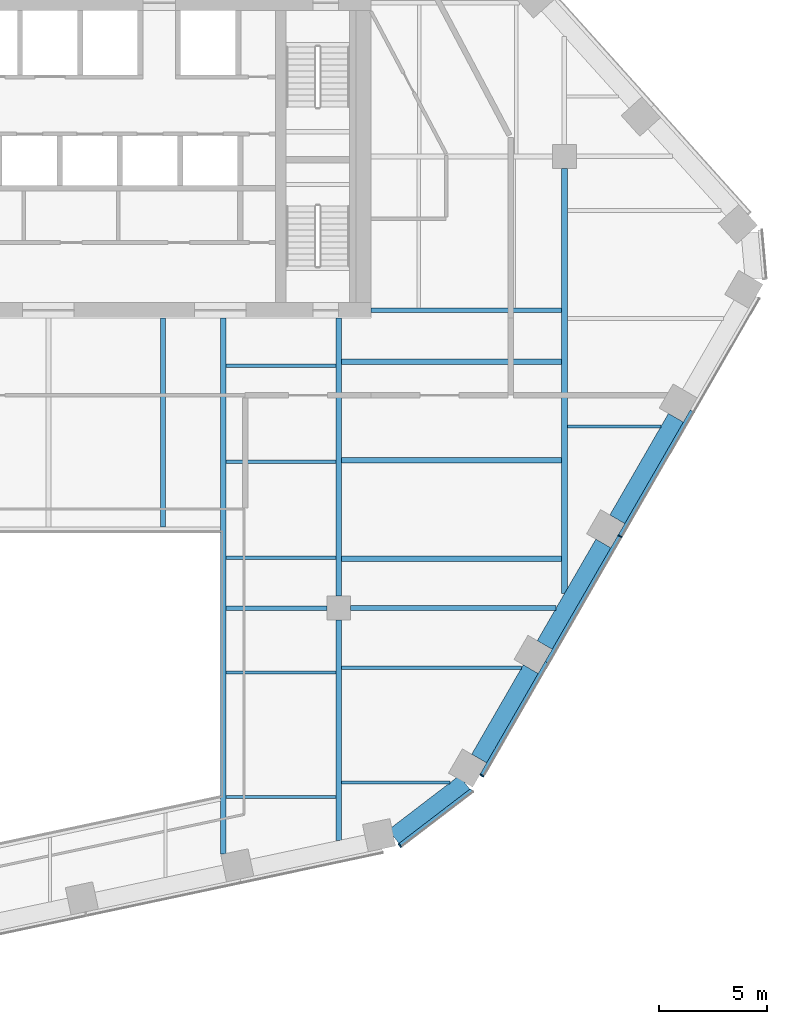
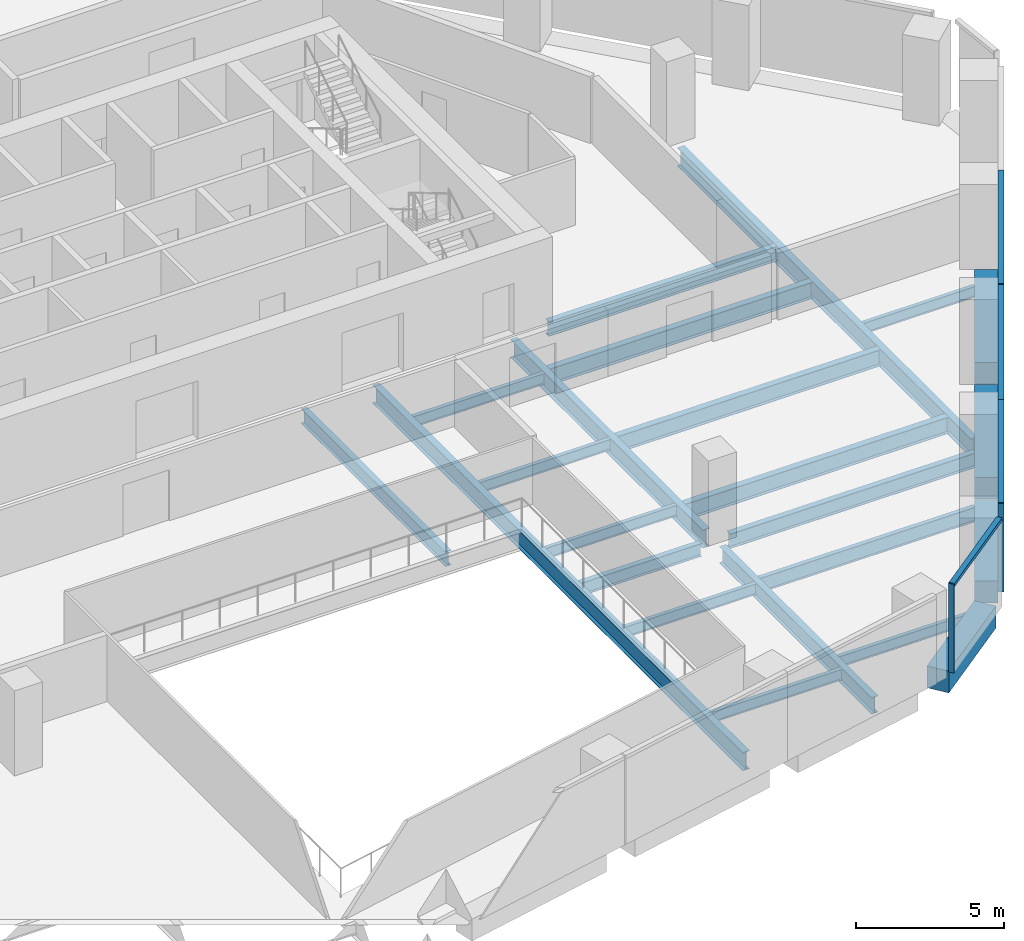
# One storey, part 5 of 16: 23 beams, 7 members, 2 elements without a shape of their own.
"""IFC4 building model written with IfcOpenShell, lengths in metres."""

import ifcopenshell
import ifcopenshell.guid

model = None  # the IFC model being written
_history = None  # IfcOwnerHistory: only IFC2X3 demands one
_inside = {}  # id of a spatial element -> (the spatial element, [elements in it])
_under = {}  # id of a project, library or spatial element -> (it, [spatial elements below it])
_declared = {}  # id of a project -> (the project, [libraries it declares])
_typed = {}  # id of a type object -> (the type object, [elements of that type])
_made_of = {}  # id of a material, layer set ... -> (it, [elements and type objects made of it])


def new_model(schema):
    """Start an empty IFC model of exactly this schema.

    Asked for "IFC4X3", IfcOpenShell would pick the latest addendum, in which some entities
    have other attributes; the version numbers below select the first issue.
    IFC2X3 requires an IfcOwnerHistory on every rooted entity: one is made here for all.
    """
    global model, _history
    if schema == "IFC4X3":
        model = ifcopenshell.file(schema_version=(4, 3, 0, 0))
    else:
        model = ifcopenshell.file(schema=schema)
    _inside.clear()
    _under.clear()
    _declared.clear()
    _typed.clear()
    _made_of.clear()
    _history = None
    if model.schema == "IFC2X3":
        org = make("IfcOrganization", Name="unknown")
        user = make(
            "IfcPersonAndOrganization",
            ThePerson=make("IfcPerson", FamilyName="unknown"),
            TheOrganization=org,
        )
        app = make(
            "IfcApplication",
            ApplicationDeveloper=org,
            Version="unknown",
            ApplicationFullName="unknown",
            ApplicationIdentifier="unknown",
        )
        _history = make(
            "IfcOwnerHistory",
            OwningUser=user,
            OwningApplication=app,
            ChangeAction="ADDED",
            CreationDate=0,
        )
    return model


def make(cls, **values):
    """One entity of the class cls with the attributes given. An attribute that is None is left unset."""
    return model.create_entity(
        cls, **{name: value for name, value in values.items() if value is not None}
    )


def rooted(cls, **values):
    """An entity with a GlobalId (a new one), such as an element, a storey or a relation."""
    return make(cls, GlobalId=ifcopenshell.guid.new(), OwnerHistory=_history, **values)


def si_unit(unit_type, name, prefix=None):
    """IfcSIUnit, for example si_unit("LENGTHUNIT", "METRE", prefix="MILLI")."""
    return make("IfcSIUnit", UnitType=unit_type, Prefix=prefix, Name=name)


def assignment(units):
    """IfcUnitAssignment: the units of a project."""
    return None if units is None else make("IfcUnitAssignment", Units=units)


def point(xyz):
    """IfcCartesianPoint."""
    return None if xyz is None else make("IfcCartesianPoint", Coordinates=xyz)


def direction(xyz):
    """IfcDirection."""
    return None if xyz is None else make("IfcDirection", DirectionRatios=xyz)


def frame(location, z_axis=None, x_axis=None):
    """IfcAxis2Placement3D, a coordinate frame: its origin and axes. An axis left out is left unset."""
    return make(
        "IfcAxis2Placement3D",
        Location=point(location),
        Axis=direction(z_axis),
        RefDirection=direction(x_axis),
    )


def frame_2d(location, x_axis=None):
    """IfcAxis2Placement2D, a coordinate frame in the plane: its origin and x axis."""
    return make(
        "IfcAxis2Placement2D", Location=point(location), RefDirection=direction(x_axis)
    )


def origin():
    """The frame at (0, 0, 0) with its axes left unset."""
    return frame((0.0, 0.0, 0.0))


def origin_2d():
    """The frame at (0, 0) in the plane with its x axis left unset."""
    return frame_2d((0.0, 0.0))


def place(relative_to, where):
    """IfcLocalPlacement: puts the frame where relative to a parent placement (None: the world)."""
    return make(
        "IfcLocalPlacement", PlacementRelTo=relative_to, RelativePlacement=where
    )


def context(
    kind, dimensions, precision=None, world=None, true_north=None, identifier=None
):
    """IfcGeometricRepresentationContext, for example the 3D "Model" context."""
    return make(
        "IfcGeometricRepresentationContext",
        ContextIdentifier=identifier,
        ContextType=kind,
        CoordinateSpaceDimension=dimensions,
        Precision=precision,
        WorldCoordinateSystem=world,
        TrueNorth=true_north,
    )


def subcontext(parent, identifier, kind, view, scale=None):
    """IfcGeometricRepresentationSubContext, for example "Body" below "Model"."""
    return make(
        "IfcGeometricRepresentationSubContext",
        ContextIdentifier=identifier,
        ContextType=kind,
        ParentContext=parent,
        TargetScale=scale,
        TargetView=view,
    )


def project(units=None, contexts=None):
    """IfcProject with its units and contexts."""
    return rooted(
        "IfcProject",
        Name="project",
        RepresentationContexts=contexts,
        UnitsInContext=assignment(units),
    )


def spatial(cls, under=None, at=None, **own):
    """A site, building, storey or space (cls), placed at a placement, below another one or the project."""
    s = rooted(cls, ObjectPlacement=at, **own)
    if under is not None:
        _under.setdefault(under.id(), (under, []))[1].append(s)
    return s


def profile(cls, at=None, kind="AREA", **sizes):
    """A parametric profile (cls). Its sizes go by their IFC names, for example OverallWidth=200.0."""
    return make(cls, ProfileType=kind, Position=at, **sizes)


def rectangle(**sizes):
    """IfcRectangleProfileDef."""
    return profile("IfcRectangleProfileDef", **sizes)


def i_section(**sizes):
    """IfcIShapeProfileDef."""
    return profile("IfcIShapeProfileDef", **sizes)


def extrude(swept, where, along, depth):
    """IfcExtrudedAreaSolid: the profile swept, set in the frame where, extruded along a direction by depth."""
    return make(
        "IfcExtrudedAreaSolid",
        SweptArea=swept,
        Position=where,
        ExtrudedDirection=direction(along),
        Depth=depth,
    )


def shape(context_of_items, identifier, shape_type, items):
    """IfcShapeRepresentation: the items that make up one representation, for example the "Body"."""
    return make(
        "IfcShapeRepresentation",
        ContextOfItems=context_of_items,
        RepresentationIdentifier=identifier,
        RepresentationType=shape_type,
        Items=items,
    )


def material(Name=None, Category=None):
    """IfcMaterial."""
    return make("IfcMaterial", Name=Name, Category=Category)


def layer(
    of_material, thickness, ventilated=None, Name=None, Category=None, Priority=None
):
    """IfcMaterialLayer: one layer of a wall or slab, of a material (None: an air gap)."""
    return make(
        "IfcMaterialLayer",
        Material=of_material,
        LayerThickness=thickness,
        IsVentilated=ventilated,
        Name=Name,
        Category=Category,
        Priority=Priority,
    )


def layer_set(layers, Name=None):
    """IfcMaterialLayerSet."""
    return make("IfcMaterialLayerSet", MaterialLayers=layers, LayerSetName=Name)


def material_profile(
    of_material, cross_section, Name=None, Category=None, Priority=None
):
    """IfcMaterialProfile: a cross section and its material."""
    return make(
        "IfcMaterialProfile",
        Name=Name,
        Material=of_material,
        Profile=cross_section,
        Priority=Priority,
        Category=Category,
    )


def profile_set(profiles, Name=None, composite=None):
    """IfcMaterialProfileSet."""
    return make(
        "IfcMaterialProfileSet",
        Name=Name,
        MaterialProfiles=profiles,
        CompositeProfile=composite,
    )


def made_of(thing, what):
    """Note that an element or type object is made of a material, layer set ...; save() writes the relation."""
    if what is not None:
        _made_of.setdefault(what.id(), (what, []))[1].append(thing)
    return thing


def type_object(cls, material=None, **own):
    """A type object (cls), such as IfcWallType, which elements share."""
    return made_of(rooted(cls, **own), material)


def element(
    cls,
    number,
    at=None,
    inside=None,
    cuts=None,
    type_object=None,
    material=None,
    context=None,
    identifier="Body",
    shape_type=None,
    held_by="IfcProductDefinitionShape",
    body=None,
    shapes=None,
    **own,
):
    """One element of the class cls, such as IfcWall. Its Tag is "e" and its number.

    at: its placement. inside: the storey or other place that contains it. cuts: it is an
    opening in that element (IfcRelVoidsElement). A single representation is given by context,
    identifier, shape_type and body (its items); several are given by shapes. held_by: the class
    of the entity that holds the representations. save() writes the other relations.
    """
    e = rooted(cls, Tag="e%d" % number, ObjectPlacement=at, **own)
    if body is not None:
        shapes = [shape(context, identifier, shape_type, body)]
    if shapes is not None:
        e.Representation = make(held_by, Representations=shapes)
    if inside is not None:
        _inside.setdefault(inside.id(), (inside, []))[1].append(e)
    if cuts is not None:
        rooted(
            "IfcRelVoidsElement", RelatingBuildingElement=cuts, RelatedOpeningElement=e
        )
    if type_object is not None:
        _typed.setdefault(type_object.id(), (type_object, []))[1].append(e)
    return made_of(e, material)


def aggregate(whole, parts):
    """IfcRelAggregates: a whole, such as a stair, and the parts it consists of."""
    return rooted("IfcRelAggregates", RelatingObject=whole, RelatedObjects=parts)


def save(model, path):
    """Write the relations noted so far, then the file.

    IfcRelAggregates (storeys below a building ...), IfcRelContainedInSpatialStructure (elements
    in a storey), IfcRelDefinesByType, IfcRelAssociatesMaterial and IfcRelDeclares: one each for
    every whole, place, type object, material and project.
    """
    for whole, parts in _under.values():
        aggregate(whole, parts)
    for where, things in _inside.values():
        rooted(
            "IfcRelContainedInSpatialStructure",
            RelatedElements=things,
            RelatingStructure=where,
        )
    for kind, things in _typed.values():
        rooted("IfcRelDefinesByType", RelatedObjects=things, RelatingType=kind)
    for what, things in _made_of.values():
        rooted("IfcRelAssociatesMaterial", RelatedObjects=things, RelatingMaterial=what)
    for by, libraries in _declared.values():
        rooted("IfcRelDeclares", RelatingContext=by, RelatedDefinitions=libraries)
    model.write(path)


model = new_model("IFC4")

# Units and contexts
model_context = context("Model", 3, precision=1e-05, world=origin(), true_north=direction((0.0, 1.0)))
body_context = subcontext(model_context, "Body", "Model", "MODEL_VIEW")
ifc_project = project(units=[si_unit("LENGTHUNIT", "METRE"), si_unit("AREAUNIT", "SQUARE_METRE"), si_unit("VOLUMEUNIT", "CUBIC_METRE"), si_unit("PLANEANGLEUNIT", "RADIAN"), si_unit("MASSUNIT", "GRAM", prefix="KILO")], contexts=[model_context])

# Site, building, storey
site_placement = place(None, origin())
site = spatial("IfcSite", under=ifc_project, at=site_placement, CompositionType="ELEMENT")
building_placement = place(site_placement, origin())
building = spatial("IfcBuilding", under=site, at=building_placement, Name="Isthmus Gate Tower", CompositionType="ELEMENT")
storey_placement = place(building_placement, frame((0.0, 0.0, 170.800048828125)))
storey = spatial("IfcBuildingStorey", under=building, at=storey_placement, Name="L42", CompositionType="ELEMENT", Elevation=170.800048828125)

# Curtain wall, member
ifc_material_1 = material(Name="Aluminium, pale champagne anodised", Category="aluminium")
ifc_layer = layer(ifc_material_1, 0.199951171875)
ifc_layer_set = layer_set([ifc_layer], Name="CW-1 UNITISED CURTAIN WALL 200 DEEP")
curtain_wall_type = type_object("IfcCurtainWallType", Name="CW-1 UNITISED CURTAIN WALL 200 DEEP", PredefinedType="NOTDEFINED", material=ifc_layer_set)
curtain_wall_1_placement = place(storey_placement, origin())
curtain_wall_1 = element("IfcCurtainWall", 1, at=curtain_wall_1_placement, inside=storey, type_object=curtain_wall_type, Name="CW-1 S-SE L42", PredefinedType="NOTDEFINED")
ifc_material_2 = material(Name="Aluminium, pale champagne anodised", Category="aluminium")
ifc_material_profile_1 = material_profile(ifc_material_2, rectangle(XDim=0.06005859375, YDim=0.199951171875, at=origin_2d()), Name="60x200")
ifc_profile_set_1 = profile_set([ifc_material_profile_1], Name="Aluminium, pale champagne anodised")
member_type_1 = type_object("IfcMemberType", Name="CW-1 MULLION 60 X 200", PredefinedType="MULLION", material=ifc_profile_set_1)
member_1_placement = place(storey_placement, frame((16.346435546875, -24.5419921875, 0.0), z_axis=(0.0, 0.0, 1.0), x_axis=(0.794188594387, 0.607671355706, 0.0)))
member_1 = element("IfcMember", 2, at=member_1_placement, type_object=member_type_1, Name="CW-1 mullion", PredefinedType="MULLION", context=body_context, shape_type="SweptSolid", body=[
    extrude(rectangle(XDim=0.06005859375, YDim=0.199951171875, at=origin_2d()), origin(), (0.0, 0.0, 1.0), 3.64990234375),
])

# Curtain wall, members
curtain_wall_2_placement = place(storey_placement, origin())
curtain_wall_2 = element("IfcCurtainWall", 3, at=curtain_wall_2_placement, inside=storey, type_object=curtain_wall_type, Name="CW-1 SE L42", PredefinedType="NOTDEFINED")
member_2_placement = place(storey_placement, frame((20.156005859375, -21.288818359375, 0.0), z_axis=(0.0, 0.0, 1.0), x_axis=(0.5, 0.866025403784, 0.0)))
member_2 = element("IfcMember", 4, at=member_2_placement, type_object=member_type_1, Name="CW-1 mullion", PredefinedType="MULLION", context=body_context, shape_type="SweptSolid", body=[
    extrude(rectangle(XDim=0.06005859375, YDim=0.199951171875, at=origin_2d()), origin(), (0.0, 0.0, 1.0), 3.64990234375),
])
member_3_placement = place(storey_placement, frame((26.5810546875, -10.16015625, 0.0), z_axis=(0.0, 0.0, 1.0), x_axis=(0.5, 0.866025403784, 0.0)))
member_3 = element("IfcMember", 5, at=member_3_placement, type_object=member_type_1, Name="CW-1 mullion", PredefinedType="MULLION", context=body_context, shape_type="SweptSolid", body=[
    extrude(rectangle(XDim=0.06005859375, YDim=0.199951171875, at=origin_2d()), origin(), (0.0, 0.0, 1.0), 3.64990234375),
])

# Member
ifc_material_3 = material(Name="Aluminium, pale champagne anodised", Category="aluminium")
ifc_material_profile_2 = material_profile(ifc_material_3, rectangle(XDim=0.199951171875, YDim=0.139892578125, at=origin_2d()), Name="200x140")
ifc_profile_set_2 = profile_set([ifc_material_profile_2], Name="Aluminium, pale champagne anodised")
member_type_2 = type_object("IfcMemberType", Name="CW-1 TRANSOM 200 X 140", PredefinedType="USERDEFINED", material=ifc_profile_set_2)
member_4_placement = place(storey_placement, frame((16.3701171875, -24.52392578125, 3.579833984375), z_axis=(0.79419705805, 0.607660294066, 0.0), x_axis=(-0.607660294066, 0.79419705805, 0.0)))
member_4 = element("IfcMember", 6, at=member_4_placement, type_object=member_type_2, Name="CW-1 transom", ObjectType="TRANSOM", PredefinedType="USERDEFINED", context=body_context, shape_type="SweptSolid", body=[
    extrude(rectangle(XDim=0.199951171875, YDim=0.139892578125, at=origin_2d()), origin(), (0.0, 0.0, 1.0), 4.181640625),
])

aggregate(curtain_wall_1, [member_1, member_4])

member_5_placement = place(storey_placement, frame((20.171142578125, -21.2626953125, 3.579833984375), z_axis=(0.499990697366, 0.866030774596, 0.0), x_axis=(-0.866030774596, 0.499990697366, 0.0)))
member_5 = element("IfcMember", 7, at=member_5_placement, type_object=member_type_2, Name="CW-1 transom", ObjectType="TRANSOM", PredefinedType="USERDEFINED", context=body_context, shape_type="SweptSolid", body=[
    extrude(rectangle(XDim=0.199951171875, YDim=0.139892578125, at=origin_2d()), origin(), (0.0, 0.0, 1.0), 6.0400390625),
])

member_6_placement = place(storey_placement, frame((23.191162109375, -16.03173828125, 3.579833984375), z_axis=(0.499997969693, 0.866026575979, 0.0), x_axis=(-0.866026575979, 0.499997969693, 0.0)))
member_6 = element("IfcMember", 8, at=member_6_placement, type_object=member_type_2, Name="CW-1 transom", ObjectType="TRANSOM", PredefinedType="USERDEFINED", context=body_context, shape_type="SweptSolid", body=[
    extrude(rectangle(XDim=0.199951171875, YDim=0.139892578125, at=origin_2d()), origin(), (0.0, 0.0, 1.0), 6.75),
])

member_7_placement = place(storey_placement, frame((26.59619140625, -10.134033203125, 3.579833984375), z_axis=(0.499997283838, 0.866026971956, 0.0), x_axis=(-0.866026971956, 0.499997283838, 0.0)))
member_7 = element("IfcMember", 9, at=member_7_placement, type_object=member_type_2, Name="CW-1 transom", ObjectType="TRANSOM", PredefinedType="USERDEFINED", context=body_context, shape_type="SweptSolid", body=[
    extrude(rectangle(XDim=0.199951171875, YDim=0.139892578125, at=origin_2d()), origin(), (0.0, 0.0, 1.0), 6.68994140625),
])

aggregate(curtain_wall_2, [member_2, member_5, member_6, member_3, member_7])

# Beams
ifc_material_4 = material(Name="Concrete f'c 60 MPa", Category="concrete")
ifc_material_profile_3 = material_profile(ifc_material_4, rectangle(XDim=0.800048828125, YDim=0.89990234375, at=origin_2d()), Name="RC 800X900")
ifc_profile_set_3 = profile_set([ifc_material_profile_3], Name="Concrete f'c 60 MPa")
beam_type_1 = type_object("IfcBeamType", Name="RC SPANDREL 800 X 900", PredefinedType="SPANDREL", material=ifc_profile_set_3)
beam_1_placement = place(storey_placement, frame((29.18310546875, -4.653076171875, -0.449951171875), z_axis=(-0.49996933381, -0.866043108194, 0.0), x_axis=(0.866043108194, -0.49996933381, 0.0)))
element("IfcBeam", 10, at=beam_1_placement, inside=storey, type_object=beam_type_1, Name="str-spandrel-L42-07", PredefinedType="SPANDREL", context=body_context, shape_type="SweptSolid", body=[
    extrude(rectangle(XDim=0.800048828125, YDim=0.89990234375, at=origin_2d()), origin(), (0.0, 0.0, 1.0), 5.449951171875),
])
beam_2_placement = place(storey_placement, frame((25.80810546875, -10.4990234375, -0.449951171875), z_axis=(-0.500002931134, -0.866023711487, 0.0), x_axis=(0.866023711487, -0.500002931134, 0.0)))
element("IfcBeam", 11, at=beam_2_placement, inside=storey, type_object=beam_type_1, Name="str-spandrel-L42-08", PredefinedType="SPANDREL", context=body_context, shape_type="SweptSolid", body=[
    extrude(rectangle(XDim=0.800048828125, YDim=0.89990234375, at=origin_2d()), origin(), (0.0, 0.0, 1.0), 5.4501953125),
])
beam_3_placement = place(storey_placement, frame((22.43310546875, -16.3447265625, -0.449951171875), z_axis=(-0.500017431331, -0.866015339567, 0.0), x_axis=(0.866015339567, -0.500017431331, 0.0)))
element("IfcBeam", 12, at=beam_3_placement, inside=storey, type_object=beam_type_1, Name="str-spandrel-L42-09", PredefinedType="SPANDREL", context=body_context, shape_type="SweptSolid", body=[
    extrude(rectangle(XDim=0.800048828125, YDim=0.89990234375, at=origin_2d()), origin(), (0.0, 0.0, 1.0), 4.800048828125),
])
beam_4_placement = place(storey_placement, frame((19.354248046875, -21.611083984375, -0.449951171875), z_axis=(-0.794205941875, -0.607648682949, 0.0), x_axis=(0.607648682949, -0.794205941875, 0.0)))
element("IfcBeam", 13, at=beam_4_placement, inside=storey, type_object=beam_type_1, Name="str-spandrel-L42-10", PredefinedType="SPANDREL", context=body_context, shape_type="SweptSolid", body=[
    extrude(rectangle(XDim=0.800048828125, YDim=0.89990234375, at=origin_2d()), origin(), (0.0, 0.0, 1.0), 4.15234375),
])
ifc_material_5 = material(Name="Structural steel ASTM A992 Gr 50", Category="steel")
ifc_material_profile_4 = material_profile(ifc_material_5, i_section(OverallWidth=0.15234375, OverallDepth=0.45068359375, WebThickness=0.0078125, FlangeThickness=0.010986328125, at=origin_2d()), Name="W18X35")
ifc_profile_set_4 = profile_set([ifc_material_profile_4], Name="Structural steel ASTM A992 Gr 50")
beam_type_2 = type_object("IfcBeamType", Name="STEEL FLOOR BEAM W18X35", PredefinedType="JOIST", material=ifc_profile_set_4)
for number, where, z_axis, x_axis, name in (
    (14, (8.263427734375, -22.291015625, -0.37548828125), (1.0, 0.0, 0.0), (0.0, 1.0, 0.0), "str-beam-L42-09-00"),
    (15, (8.263427734375, -16.500244140625, -0.37548828125), (1.0, 0.0, 0.0), (0.0, 1.0, 0.0), "str-beam-L42-09-01"),
):
    element("IfcBeam", number, at=place(storey_placement, frame(where, z_axis=z_axis, x_axis=x_axis)), inside=storey, type_object=beam_type_2, Name=name, PredefinedType="JOIST", context=body_context, shape_type="SweptSolid", body=[
        extrude(i_section(OverallWidth=0.15234375, OverallDepth=0.45068359375, WebThickness=0.0078125, FlangeThickness=0.010986328125, at=origin_2d()), origin(), (0.0, 0.0, 1.0), 5.109619140625),
    ])
for number, where, z_axis, x_axis, name in (
    (16, (8.263427734375, -11.16259765625, -0.37548828125), (1.0, 0.0, 0.0), (0.0, 1.0, 0.0), "str-beam-L42-10-00"),
    (17, (8.263427734375, -6.697509765625, -0.37548828125), (1.0, 0.0, 0.0), (0.0, 1.0, 0.0), "str-beam-L42-10-01"),
    (18, (8.263427734375, -2.232421875, -0.37548828125), (1.0, 0.0, 0.0), (0.0, 1.0, 0.0), "str-beam-L42-10-02"),
):
    element("IfcBeam", number, at=place(storey_placement, frame(where, z_axis=z_axis, x_axis=x_axis)), inside=storey, type_object=beam_type_2, Name=name, PredefinedType="JOIST", context=body_context, shape_type="SweptSolid", body=[
        extrude(i_section(OverallWidth=0.15234375, OverallDepth=0.45068359375, WebThickness=0.0078125, FlangeThickness=0.010986328125, at=origin_2d()), origin(), (0.0, 0.0, 1.0), 5.104736328125),
    ])
beam_5_placement = place(storey_placement, frame((13.626953125, -21.61767578125, -0.37548828125), z_axis=(1.0, 0.0, 0.0), x_axis=(0.0, 1.0, 0.0)))
element("IfcBeam", 19, at=beam_5_placement, inside=storey, type_object=beam_type_2, Name="str-beam-L42-11-00", PredefinedType="JOIST", context=body_context, shape_type="SweptSolid", body=[
    extrude(i_section(OverallWidth=0.15234375, OverallDepth=0.45068359375, WebThickness=0.0078125, FlangeThickness=0.010986328125, at=origin_2d()), origin(), (0.0, 0.0, 1.0), 5.060302734375),
])
beam_6_placement = place(storey_placement, frame((24.13330078125, -5.0625, -0.37548828125), z_axis=(1.0, 0.0, 0.0), x_axis=(0.0, 1.0, 0.0)))
element("IfcBeam", 20, at=beam_6_placement, inside=storey, type_object=beam_type_2, Name="str-beam-L42-16-00", PredefinedType="JOIST", context=body_context, shape_type="SweptSolid", body=[
    extrude(i_section(OverallWidth=0.15234375, OverallDepth=0.45068359375, WebThickness=0.0078125, FlangeThickness=0.010986328125, at=origin_2d()), origin(), (0.0, 0.0, 1.0), 4.351806640625),
])
ifc_material_6 = material(Name="Structural steel ASTM A992 Gr 50", Category="steel")
ifc_material_profile_5 = material_profile(ifc_material_6, i_section(OverallWidth=0.177734375, OverallDepth=0.60009765625, WebThickness=0.009521484375, FlangeThickness=0.0126953125, at=origin_2d()), Name="W24X55")
ifc_profile_set_5 = profile_set([ifc_material_profile_5], Name="Structural steel ASTM A992 Gr 50")
beam_type_3 = type_object("IfcBeamType", Name="STEEL FLOOR BEAM W24X55", PredefinedType="JOIST", material=ifc_profile_set_5)
beam_7_placement = place(storey_placement, frame((13.626953125, -16.2822265625, -0.4501953125), z_axis=(1.0, 0.0, 0.0), x_axis=(0.0, 1.0, 0.0)))
element("IfcBeam", 21, at=beam_7_placement, inside=storey, type_object=beam_type_3, Name="str-beam-L42-11-01", PredefinedType="JOIST", context=body_context, shape_type="SweptSolid", body=[
    extrude(i_section(OverallWidth=0.177734375, OverallDepth=0.60009765625, WebThickness=0.009521484375, FlangeThickness=0.0126953125, at=origin_2d()), origin(), (0.0, 0.0, 1.0), 8.38037109375),
])
ifc_material_7 = material(Name="Structural steel ASTM A992 Gr 50", Category="steel")
ifc_material_profile_6 = material_profile(ifc_material_7, i_section(OverallWidth=0.228515625, OverallDepth=0.603271484375, WebThickness=0.010986328125, FlangeThickness=0.014404296875, at=origin_2d()), Name="W24X68")
ifc_profile_set_6 = profile_set([ifc_material_profile_6], Name="Structural steel ASTM A992 Gr 50")
beam_type_4 = type_object("IfcBeamType", Name="STEEL FLOOR BEAM W24X68", PredefinedType="JOIST", material=ifc_profile_set_6)
beam_8_placement = place(storey_placement, frame((5.333251953125, -9.7333984375, -0.45166015625), z_axis=(0.0, 1.0, 0.0), x_axis=(-1.0, 0.0, 0.0)))
element("IfcBeam", 22, at=beam_8_placement, inside=storey, type_object=beam_type_4, Name="str-beam-L42-06-02", PredefinedType="JOIST", context=body_context, shape_type="SweptSolid", body=[
    extrude(i_section(OverallWidth=0.228515625, OverallDepth=0.603271484375, WebThickness=0.010986328125, FlangeThickness=0.014404296875, at=origin_2d()), origin(), (0.0, 0.0, 1.0), 9.7333984375),
])
ifc_material_8 = material(Name="Structural steel ASTM A992 Gr 50", Category="steel")
ifc_material_profile_7 = material_profile(ifc_material_8, i_section(OverallWidth=0.25390625, OverallDepth=0.679443359375, WebThickness=0.010986328125, FlangeThickness=0.015869140625, at=origin_2d()), Name="W27X84")
ifc_profile_set_7 = profile_set([ifc_material_profile_7], Name="Structural steel ASTM A992 Gr 50")
beam_type_5 = type_object("IfcBeamType", Name="STEEL FLOOR BEAM W27X84", PredefinedType="JOIST", material=ifc_profile_set_7)
for number, where, z_axis, x_axis, name in (
    (23, (13.6318359375, -11.210693359375, -0.48974609375), (1.0, 0.0, 0.0), (0.0, 1.0, 0.0), "str-beam-L42-12-00"),
    (24, (13.6318359375, -6.632080078125, -0.48974609375), (1.0, 0.0, 0.0), (0.0, 1.0, 0.0), "str-beam-L42-12-01"),
    (25, (13.6318359375, -2.053466796875, -0.48974609375), (1.0, 0.0, 0.0), (0.0, 1.0, 0.0), "str-beam-L42-12-02"),
):
    element("IfcBeam", number, at=place(storey_placement, frame(where, z_axis=z_axis, x_axis=x_axis)), inside=storey, type_object=beam_type_5, Name=name, PredefinedType="JOIST", context=body_context, shape_type="SweptSolid", body=[
        extrude(i_section(OverallWidth=0.25390625, OverallDepth=0.679443359375, WebThickness=0.010986328125, FlangeThickness=0.015869140625, at=origin_2d()), origin(), (0.0, 0.0, 1.0), 10.23486328125),
    ])
ifc_material_9 = material(Name="Structural steel ASTM A992 Gr 50", Category="steel")
ifc_material_profile_8 = material_profile(ifc_material_9, i_section(OverallWidth=0.20947265625, OverallDepth=0.533447265625, WebThickness=0.009521484375, FlangeThickness=0.015869140625, at=origin_2d()), Name="W21X62")
ifc_profile_set_8 = profile_set([ifc_material_profile_8], Name="Structural steel ASTM A992 Gr 50")
beam_type_6 = type_object("IfcBeamType", Name="STEEL GIRDER W21X62", PredefinedType="BEAM", material=ifc_profile_set_8)
beam_9_placement = place(storey_placement, frame((8.263427734375, -13.5, -0.416748046875), z_axis=(1.0, 0.0, 0.0), x_axis=(0.0, 1.0, 0.0)))
element("IfcBeam", 26, at=beam_9_placement, inside=storey, type_object=beam_type_6, Name="str-girder-L42-03", PredefinedType="BEAM", context=body_context, shape_type="SweptSolid", body=[
    extrude(i_section(OverallWidth=0.20947265625, OverallDepth=0.533447265625, WebThickness=0.009521484375, FlangeThickness=0.015869140625, at=origin_2d()), origin(), (0.0, 0.0, 1.0), 4.6865234375),
])
ifc_material_10 = material(Name="Structural steel ASTM A992 Gr 50", Category="steel")
ifc_material_profile_9 = material_profile(ifc_material_10, i_section(OverallWidth=0.228515625, OverallDepth=0.6064453125, WebThickness=0.010986328125, FlangeThickness=0.017578125, at=origin_2d()), Name="W24X76")
ifc_profile_set_9 = profile_set([ifc_material_profile_9], Name="Structural steel ASTM A992 Gr 50")
beam_type_7 = type_object("IfcBeamType", Name="STEEL GIRDER W24X76", PredefinedType="BEAM", material=ifc_profile_set_9)
beam_10_placement = place(storey_placement, frame((14.050048828125, -13.5, -0.453369140625), z_axis=(1.0, 0.0, 0.0), x_axis=(0.0, 1.0, 0.0)))
element("IfcBeam", 27, at=beam_10_placement, inside=storey, type_object=beam_type_7, Name="str-girder-L42-04", PredefinedType="BEAM", context=body_context, shape_type="SweptSolid", body=[
    extrude(i_section(OverallWidth=0.228515625, OverallDepth=0.6064453125, WebThickness=0.010986328125, FlangeThickness=0.017578125, at=origin_2d()), origin(), (0.0, 0.0, 1.0), 9.5634765625),
])
beam_11_placement = place(storey_placement, frame((15.0, 0.35009765625, -0.453369140625), z_axis=(1.0, 0.0, 0.0), x_axis=(0.0, 1.0, 0.0)))
element("IfcBeam", 28, at=beam_11_placement, inside=storey, type_object=beam_type_7, Name="str-girder-L42-14", PredefinedType="BEAM", context=body_context, shape_type="SweptSolid", body=[
    extrude(i_section(OverallWidth=0.228515625, OverallDepth=0.6064453125, WebThickness=0.010986328125, FlangeThickness=0.017578125, at=origin_2d()), origin(), (0.0, 0.0, 1.0), 8.86669921875),
])
ifc_material_11 = material(Name="Structural steel ASTM A992 Gr 50", Category="steel")
ifc_material_profile_10 = material_profile(ifc_material_11, i_section(OverallWidth=0.25390625, OverallDepth=0.679443359375, WebThickness=0.010986328125, FlangeThickness=0.015869140625, at=origin_2d()), Name="W27X84")
ifc_profile_set_10 = profile_set([ifc_material_profile_10], Name="Structural steel ASTM A992 Gr 50")
beam_type_8 = type_object("IfcBeamType", Name="STEEL GIRDER W27X84", PredefinedType="BEAM", material=ifc_profile_set_10)
beam_12_placement = place(storey_placement, frame((13.5, -24.3125, -0.48974609375), z_axis=(0.0, 1.0, 0.0), x_axis=(-1.0, 0.0, 0.0)))
element("IfcBeam", 29, at=beam_12_placement, inside=storey, type_object=beam_type_8, Name="str-girder-L42-09", PredefinedType="BEAM", context=body_context, shape_type="SweptSolid", body=[
    extrude(i_section(OverallWidth=0.25390625, OverallDepth=0.679443359375, WebThickness=0.010986328125, FlangeThickness=0.015869140625, at=origin_2d()), origin(), (0.0, 0.0, 1.0), 10.262451171875),
])
ifc_material_12 = material(Name="Structural steel ASTM A992 Gr 50", Category="steel")
ifc_material_profile_11 = material_profile(ifc_material_12, i_section(OverallWidth=0.2666015625, OverallDepth=0.7587890625, WebThickness=0.014404296875, FlangeThickness=0.01904296875, at=origin_2d()), Name="W30X108")
ifc_profile_set_11 = profile_set([ifc_material_profile_11], Name="Structural steel ASTM A992 Gr 50")
beam_type_9 = type_object("IfcBeamType", Name="STEEL GIRDER W30X108", PredefinedType="BEAM", material=ifc_profile_set_11)
beam_13_placement = place(storey_placement, frame((24.0, -12.830810546875, -0.529541015625), z_axis=(0.0, 1.0, 0.0), x_axis=(-1.0, 0.0, 0.0)))
element("IfcBeam", 30, at=beam_13_placement, inside=storey, type_object=beam_type_9, Name="str-girder-L42-11", PredefinedType="BEAM", context=body_context, shape_type="SweptSolid", body=[
    extrude(i_section(OverallWidth=0.2666015625, OverallDepth=0.7587890625, WebThickness=0.014404296875, FlangeThickness=0.01904296875, at=origin_2d()), origin(), (0.0, 0.0, 1.0), 19.78076171875),
])
ifc_material_13 = material(Name="Structural steel ASTM A992 Gr 50", Category="steel")
ifc_material_profile_12 = material_profile(ifc_material_13, i_section(OverallWidth=0.263427734375, OverallDepth=0.749267578125, WebThickness=0.0126953125, FlangeThickness=0.015869140625, at=origin_2d()), Name="W30X90")
ifc_profile_set_12 = profile_set([ifc_material_profile_12], Name="Structural steel ASTM A992 Gr 50")
beam_type_10 = type_object("IfcBeamType", Name="STEEL GIRDER W30X90", PredefinedType="BEAM", material=ifc_profile_set_12)
beam_14_placement = place(storey_placement, frame((13.5, -12.949951171875, -0.524658203125), z_axis=(0.0, 1.0, 0.0), x_axis=(-1.0, 0.0, 0.0)))
element("IfcBeam", 31, at=beam_14_placement, inside=storey, type_object=beam_type_10, Name="str-girder-L42-10", PredefinedType="BEAM", context=body_context, shape_type="SweptSolid", body=[
    extrude(i_section(OverallWidth=0.263427734375, OverallDepth=0.749267578125, WebThickness=0.0126953125, FlangeThickness=0.015869140625, at=origin_2d()), origin(), (0.0, 0.0, 1.0), 12.949951171875),
])
ifc_material_14 = material(Name="Structural steel ASTM A992 Gr 50", Category="steel")
ifc_material_profile_13 = material_profile(ifc_material_14, i_section(OverallWidth=0.263427734375, OverallDepth=0.749267578125, WebThickness=0.0126953125, FlangeThickness=0.015869140625, at=origin_2d()), Name="W30X90")
ifc_profile_set_13 = profile_set([ifc_material_profile_13], Name="Structural steel ASTM A992 Gr 50")
beam_type_11 = type_object("IfcBeamType", Name="STEEL TRIMMER W30X90", PredefinedType="BEAM", material=ifc_profile_set_13)
beam_15_placement = place(storey_placement, frame((8.1318359375, -24.9423828125, -0.524658203125), z_axis=(0.0, 1.0, 0.0), x_axis=(-1.0, 0.0, 0.0)))
element("IfcBeam", 32, at=beam_15_placement, inside=storey, type_object=beam_type_11, Name="str-trimmer-L42-01", PredefinedType="BEAM", context=body_context, shape_type="SweptSolid", body=[
    extrude(i_section(OverallWidth=0.263427734375, OverallDepth=0.749267578125, WebThickness=0.0126953125, FlangeThickness=0.015869140625, at=origin_2d()), origin(), (0.0, 0.0, 1.0), 24.9423828125),
])

save(model, "model.ifc")
